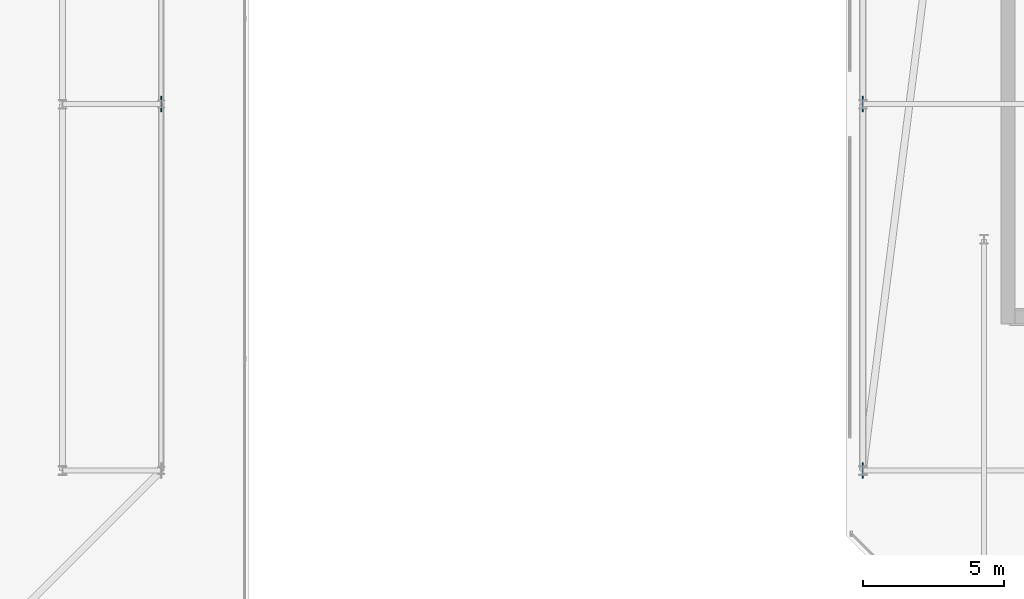
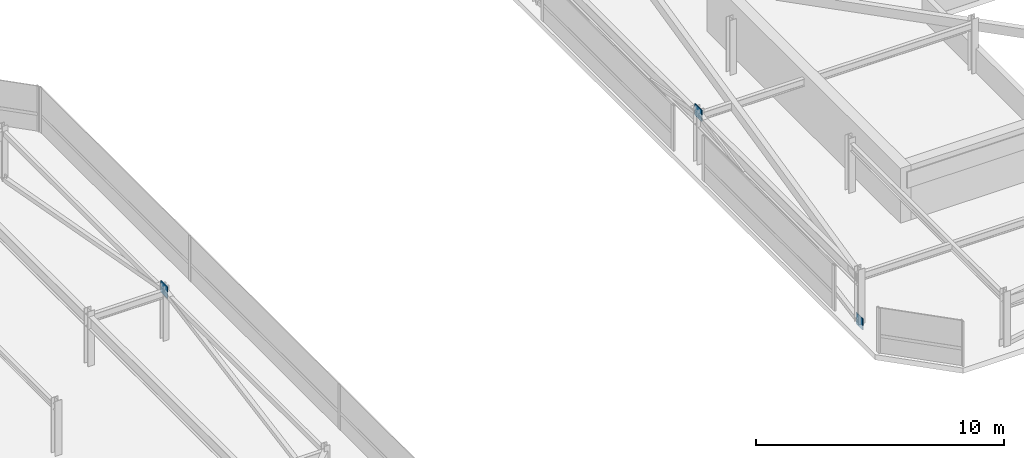
# One storey, part 41 of 44: 3 plates.
"""IFC4 building model written with IfcOpenShell, lengths in metres."""

from ifc_helpers import new_model, si_unit, direction, frame, origin, origin_2d, place, context, subcontext, project, spatial, rectangle, extrude, material, layer, layer_set, type_object, element, save


model = new_model("IFC4")

# Units and contexts
model_context = context("Model", 3, precision=1e-05, world=origin(), true_north=direction((0.0, 1.0)))
body_context = subcontext(model_context, "Body", "Model", "MODEL_VIEW")
ifc_project = project(units=[si_unit("LENGTHUNIT", "METRE"), si_unit("AREAUNIT", "SQUARE_METRE"), si_unit("VOLUMEUNIT", "CUBIC_METRE"), si_unit("PLANEANGLEUNIT", "RADIAN"), si_unit("MASSUNIT", "GRAM", prefix="KILO")], contexts=[model_context])

# Site, building, storey
site_placement = place(None, origin())
site = spatial("IfcSite", under=ifc_project, at=site_placement, CompositionType="ELEMENT")
building_placement = place(site_placement, origin())
building = spatial("IfcBuilding", under=site, at=building_placement, Name="Thornwick Lancets Civic Towers", CompositionType="ELEMENT")
storey_placement = place(building_placement, frame((0.0, 0.0, 292.199951171875)))
storey = spatial("IfcBuildingStorey", under=building, at=storey_placement, Name="C05", CompositionType="ELEMENT", Elevation=292.199951171875)

# Plates
ifc_material = material(Name="Steel S460M", Category="steel")
ifc_layer = layer(ifc_material, 0.0400390625, Name="Steel S460M")
ifc_layer_set = layer_set([ifc_layer], Name="Steel S460M")
plate_type = type_object("IfcPlateType", Name="PLT_GUSSET_40", PredefinedType="USERDEFINED", material=ifc_layer_set)
for number, where, z_axis, x_axis, name in (
    (1, (46.300048828125, 27.0, 2.1650390625), (0.0, 0.0, 1.0), (0.0, 1.0, 0.0), "C05 Brace Connection Gusset Plate 0537"),
    (2, (71.199951171875, 14.0, -0.22509765625), (0.0, 0.0, 1.0), (0.0, 1.0, 0.0), "C05 Brace Connection Gusset Plate 0551"),
    (3, (71.199951171875, 27.0, 2.1650390625), (0.0, 0.0, 1.0), (0.0, 1.0, 0.0), "C05 Brace Connection Gusset Plate 0552"),
):
    element("IfcPlate", number, at=place(storey_placement, frame(where, z_axis=z_axis, x_axis=x_axis)), inside=storey, type_object=plate_type, Name=name, ObjectType="GUSSET_PLATE", PredefinedType="USERDEFINED", context=body_context, shape_type="SweptSolid", body=[
        extrude(rectangle(XDim=0.550048828125, YDim=0.0400390625, at=origin_2d()), origin(), (0.0, 0.0, 1.0), 0.550048828125),
    ])

save(model, "model.ifc")
